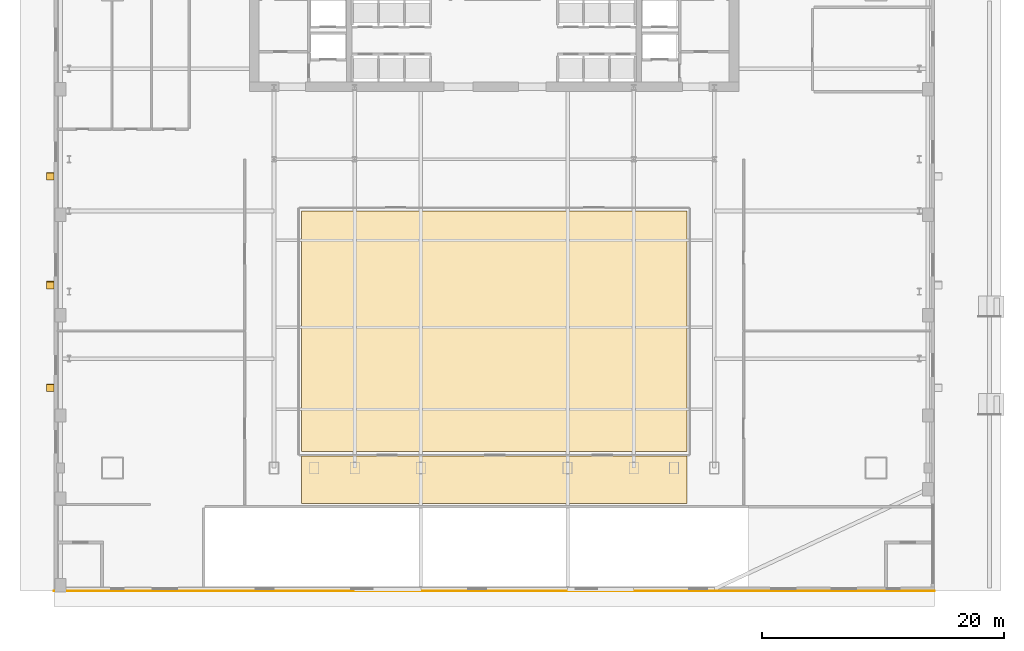
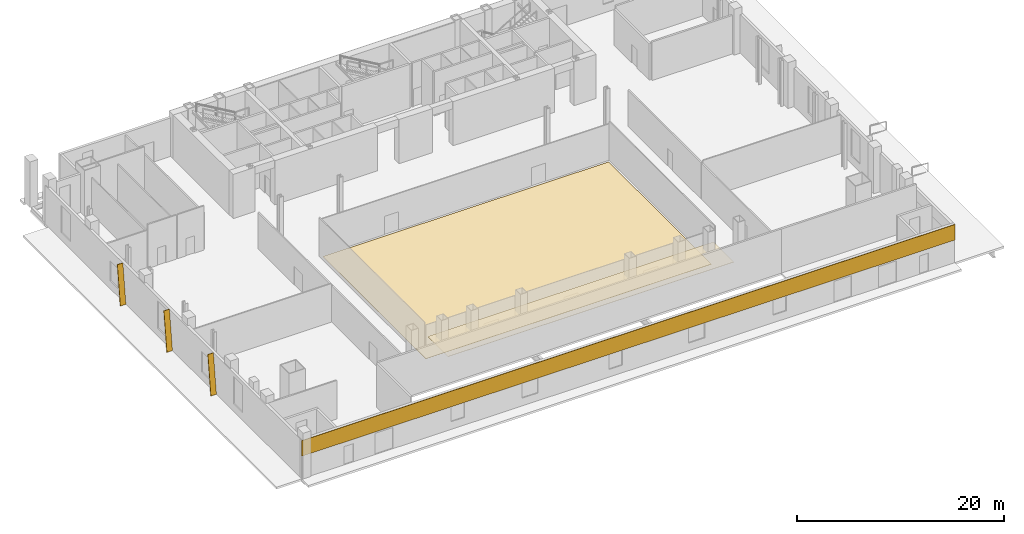
# One storey, part 13 of 16: 3 coverings, 3 shading devices.
"""IFC4 building model written with IfcOpenShell, lengths in metres."""

from ifc_helpers import new_model, si_unit, direction, frame, origin, place, context, subcontext, project, spatial, polyline, outline, extrude, material, layer, layer_set, type_object, element, save


model = new_model("IFC4")

# Units and contexts
model_context = context("Model", 3, precision=1e-05, world=origin(), true_north=direction((0.0, 1.0)))
body_context = subcontext(model_context, "Body", "Model", "MODEL_VIEW")
ifc_project = project(units=[si_unit("LENGTHUNIT", "METRE"), si_unit("AREAUNIT", "SQUARE_METRE"), si_unit("VOLUMEUNIT", "CUBIC_METRE"), si_unit("PLANEANGLEUNIT", "RADIAN"), si_unit("MASSUNIT", "GRAM", prefix="KILO")], contexts=[model_context])

# Site, building, storey
site_placement = place(None, origin())
site = spatial("IfcSite", under=ifc_project, at=site_placement, CompositionType="ELEMENT")
building_placement = place(site_placement, origin())
building = spatial("IfcBuilding", under=site, at=building_placement, Name="Khoronbel Lancet Exchange", CompositionType="ELEMENT")
storey_placement = place(building_placement, origin())
storey = spatial("IfcBuildingStorey", under=building, at=storey_placement, Name="L00", CompositionType="ELEMENT", Elevation=0.0)

# Coverings
ifc_material_1 = material(Name="Micro-Perforated Bronze Acoustic Metal Ceiling Tile", Category="aluminium")
ifc_layer_1 = layer(ifc_material_1, 0.0400390625, Name="Micro-Perforated Bronze Acoustic Metal Ceiling Tile")
ifc_layer_set_1 = layer_set([ifc_layer_1], Name="Micro-Perforated Bronze Acoustic Metal Ceiling Tile")
covering_type_1 = type_object("IfcCoveringType", Name="COV-CEIL1", PredefinedType="CEILING", material=ifc_layer_set_1)
covering_1_placement = place(storey_placement, frame((0.0, 0.0, 2.85009765625)))
element("IfcCovering", 1, at=covering_1_placement, inside=storey, type_object=covering_type_1, Name="Level L00 micro-acoustic suspended ceiling", PredefinedType="CEILING", context=body_context, shape_type="SweptSolid", body=[
    extrude(outline(polyline([(20.5, 7.199951171875), (52.39990234375, 7.199951171875), (52.39990234375, 11.1201171875), (20.5, 11.1201171875), (20.5, 7.199951171875)])), origin(), (0.0, 0.0, 1.0), 0.039794921875),
])
ifc_material_2 = material(Name="Honed Egyptian Limestone & Bronze Rainscreen", Category="masonry")
ifc_layer_2 = layer(ifc_material_2, 0.050048828125, Name="Honed Egyptian Limestone & Bronze Rainscreen")
ifc_layer_set_2 = layer_set([ifc_layer_2], Name="Honed Egyptian Limestone & Bronze Rainscreen")
covering_type_2 = type_object("IfcCoveringType", Name="COV-CLAD1", PredefinedType="CLADDING", material=ifc_layer_set_2)
covering_2_placement = place(storey_placement, frame((0.0, 0.0, 2.699951171875)))
element("IfcCovering", 2, at=covering_2_placement, inside=storey, type_object=covering_type_2, Name="Level L00 south colonnade honed limestone fascia cladding", PredefinedType="CLADDING", context=body_context, shape_type="SweptSolid", body=[
    extrude(outline(polyline([(0.0, -0.050048828125), (72.89990234375, -0.050048828125), (72.89990234375, 0.0), (0.0, 0.0), (0.0, -0.050048828125)])), origin(), (0.0, 0.0, 1.0), 1.840087890625),
])
ifc_material_3 = material(Name="Honed Egyptian Galala Marble & Raised Access Floor Finish", Category="masonry")
ifc_layer_3 = layer(ifc_material_3, 0.030029296875, Name="Honed Egyptian Galala Marble & Raised Access Floor Finish")
ifc_layer_set_3 = layer_set([ifc_layer_3], Name="Honed Egyptian Galala Marble & Raised Access Floor Finish")
covering_type_3 = type_object("IfcCoveringType", Name="COV-FLR1", PredefinedType="FLOORING", material=ifc_layer_set_3)
covering_3_placement = place(storey_placement, origin())
element("IfcCovering", 3, at=covering_3_placement, inside=storey, type_object=covering_type_3, Name="Level L00 Galala marble trading hall flooring", PredefinedType="FLOORING", context=body_context, shape_type="SweptSolid", body=[
    extrude(outline(polyline([(20.5, 11.5), (52.39990234375, 11.5), (52.39990234375, 31.39990234375), (20.5, 31.39990234375), (20.5, 11.5)])), origin(), (0.0, 0.0, 1.0), 0.030029296875),
])

# Shading devices
ifc_material_4 = material(Name="Bronze-Anodised Aluminium 6063-T6", Category="aluminium")
ifc_layer_4 = layer(ifc_material_4, 0.06494140625, Name="Bronze-Anodised Aluminium 6063-T6")
ifc_layer_set_4 = layer_set([ifc_layer_4], Name="Bronze-Anodised Aluminium 6063-T6")
shading_device_type = type_object("IfcShadingDeviceType", Name="SHD-FIN2", PredefinedType="USERDEFINED", material=ifc_layer_set_4)
for number, where, z_axis, x_axis, name in (
    (4, (0.0, 16.469970703125, 0.0), (0.0, -0.991936088007, 0.126739091477), (-1.0, 0.0, 0.0), "Podium colonnade slanted bronze fin W1"),
    (5, (0.0, 24.969970703125, 0.0), (0.0, -0.991936088007, 0.126739091477), (-1.0, 0.0, 0.0), "Podium colonnade slanted bronze fin W2"),
    (6, (0.0, 33.969970703125, 0.0), (0.0, -0.991936088007, 0.126739091477), (-1.0, 0.0, 0.0), "Podium colonnade slanted bronze fin W3"),
):
    element("IfcShadingDevice", number, at=place(storey_placement, frame(where, z_axis=z_axis, x_axis=x_axis)), inside=storey, type_object=shading_device_type, Name=name, ObjectType="FIN", PredefinedType="USERDEFINED", context=body_context, shape_type="SweptSolid", body=[
        extrude(outline(polyline([(0.0, 0.0), (0.6201171875, 0.0), (0.6201171875, -4.576904296875), (0.0, -4.576904296875), (0.0, 0.0)])), origin(), (0.0, 0.0, -1.0), 0.06494140625),
    ])

save(model, "model.ifc")
